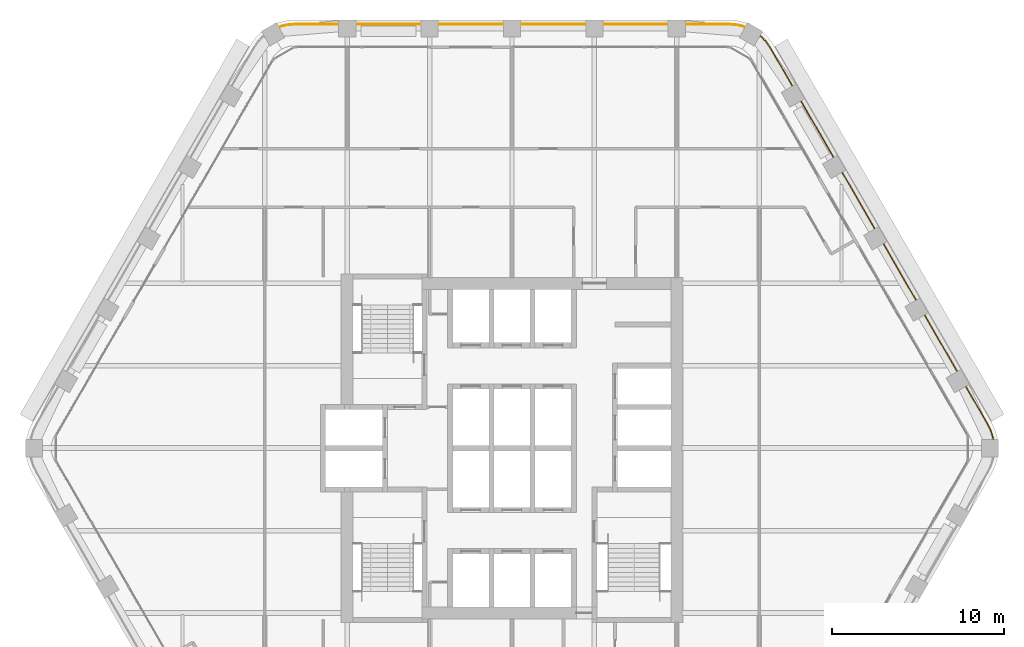
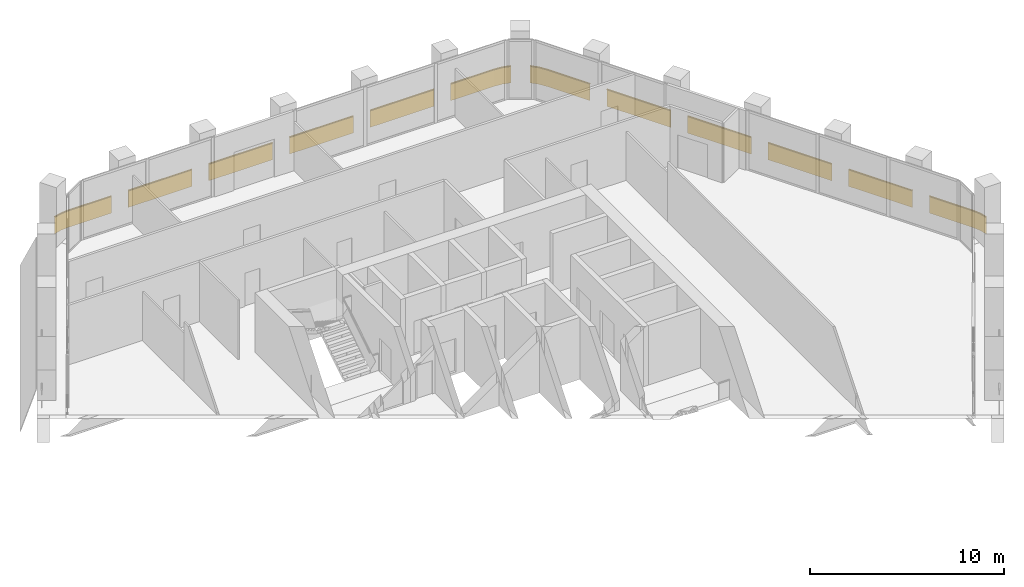
# One storey, part 15 of 15: 2 railings.
"""IFC4 building model written with IfcOpenShell, lengths in metres."""

import ifcopenshell
import ifcopenshell.guid

model = None  # the IFC model being written
_history = None  # IfcOwnerHistory: only IFC2X3 demands one
_inside = {}  # id of a spatial element -> (the spatial element, [elements in it])
_under = {}  # id of a project, library or spatial element -> (it, [spatial elements below it])
_declared = {}  # id of a project -> (the project, [libraries it declares])
_typed = {}  # id of a type object -> (the type object, [elements of that type])
_made_of = {}  # id of a material, layer set ... -> (it, [elements and type objects made of it])


def new_model(schema):
    """Start an empty IFC model of exactly this schema.

    Asked for "IFC4X3", IfcOpenShell would pick the latest addendum, in which some entities
    have other attributes; the version numbers below select the first issue.
    IFC2X3 requires an IfcOwnerHistory on every rooted entity: one is made here for all.
    """
    global model, _history
    if schema == "IFC4X3":
        model = ifcopenshell.file(schema_version=(4, 3, 0, 0))
    else:
        model = ifcopenshell.file(schema=schema)
    _inside.clear()
    _under.clear()
    _declared.clear()
    _typed.clear()
    _made_of.clear()
    _history = None
    if model.schema == "IFC2X3":
        org = make("IfcOrganization", Name="unknown")
        user = make(
            "IfcPersonAndOrganization",
            ThePerson=make("IfcPerson", FamilyName="unknown"),
            TheOrganization=org,
        )
        app = make(
            "IfcApplication",
            ApplicationDeveloper=org,
            Version="unknown",
            ApplicationFullName="unknown",
            ApplicationIdentifier="unknown",
        )
        _history = make(
            "IfcOwnerHistory",
            OwningUser=user,
            OwningApplication=app,
            ChangeAction="ADDED",
            CreationDate=0,
        )
    return model


def make(cls, **values):
    """One entity of the class cls with the attributes given. An attribute that is None is left unset."""
    return model.create_entity(
        cls, **{name: value for name, value in values.items() if value is not None}
    )


def rooted(cls, **values):
    """An entity with a GlobalId (a new one), such as an element, a storey or a relation."""
    return make(cls, GlobalId=ifcopenshell.guid.new(), OwnerHistory=_history, **values)


def si_unit(unit_type, name, prefix=None):
    """IfcSIUnit, for example si_unit("LENGTHUNIT", "METRE", prefix="MILLI")."""
    return make("IfcSIUnit", UnitType=unit_type, Prefix=prefix, Name=name)


def assignment(units):
    """IfcUnitAssignment: the units of a project."""
    return None if units is None else make("IfcUnitAssignment", Units=units)


def point(xyz):
    """IfcCartesianPoint."""
    return None if xyz is None else make("IfcCartesianPoint", Coordinates=xyz)


def direction(xyz):
    """IfcDirection."""
    return None if xyz is None else make("IfcDirection", DirectionRatios=xyz)


def frame(location, z_axis=None, x_axis=None):
    """IfcAxis2Placement3D, a coordinate frame: its origin and axes. An axis left out is left unset."""
    return make(
        "IfcAxis2Placement3D",
        Location=point(location),
        Axis=direction(z_axis),
        RefDirection=direction(x_axis),
    )


def frame_2d(location, x_axis=None):
    """IfcAxis2Placement2D, a coordinate frame in the plane: its origin and x axis."""
    return make(
        "IfcAxis2Placement2D", Location=point(location), RefDirection=direction(x_axis)
    )


def origin():
    """The frame at (0, 0, 0) with its axes left unset."""
    return frame((0.0, 0.0, 0.0))


def origin_2d():
    """The frame at (0, 0) in the plane with its x axis left unset."""
    return frame_2d((0.0, 0.0))


def place(relative_to, where):
    """IfcLocalPlacement: puts the frame where relative to a parent placement (None: the world)."""
    return make(
        "IfcLocalPlacement", PlacementRelTo=relative_to, RelativePlacement=where
    )


def context(
    kind, dimensions, precision=None, world=None, true_north=None, identifier=None
):
    """IfcGeometricRepresentationContext, for example the 3D "Model" context."""
    return make(
        "IfcGeometricRepresentationContext",
        ContextIdentifier=identifier,
        ContextType=kind,
        CoordinateSpaceDimension=dimensions,
        Precision=precision,
        WorldCoordinateSystem=world,
        TrueNorth=true_north,
    )


def subcontext(parent, identifier, kind, view, scale=None):
    """IfcGeometricRepresentationSubContext, for example "Body" below "Model"."""
    return make(
        "IfcGeometricRepresentationSubContext",
        ContextIdentifier=identifier,
        ContextType=kind,
        ParentContext=parent,
        TargetScale=scale,
        TargetView=view,
    )


def project(units=None, contexts=None):
    """IfcProject with its units and contexts."""
    return rooted(
        "IfcProject",
        Name="project",
        RepresentationContexts=contexts,
        UnitsInContext=assignment(units),
    )


def spatial(cls, under=None, at=None, **own):
    """A site, building, storey or space (cls), placed at a placement, below another one or the project."""
    s = rooted(cls, ObjectPlacement=at, **own)
    if under is not None:
        _under.setdefault(under.id(), (under, []))[1].append(s)
    return s


def profile(cls, at=None, kind="AREA", **sizes):
    """A parametric profile (cls). Its sizes go by their IFC names, for example OverallWidth=200.0."""
    return make(cls, ProfileType=kind, Position=at, **sizes)


def rectangle(**sizes):
    """IfcRectangleProfileDef."""
    return profile("IfcRectangleProfileDef", **sizes)


def extrude(swept, where, along, depth):
    """IfcExtrudedAreaSolid: the profile swept, set in the frame where, extruded along a direction by depth."""
    return make(
        "IfcExtrudedAreaSolid",
        SweptArea=swept,
        Position=where,
        ExtrudedDirection=direction(along),
        Depth=depth,
    )


def shape(context_of_items, identifier, shape_type, items):
    """IfcShapeRepresentation: the items that make up one representation, for example the "Body"."""
    return make(
        "IfcShapeRepresentation",
        ContextOfItems=context_of_items,
        RepresentationIdentifier=identifier,
        RepresentationType=shape_type,
        Items=items,
    )


def material(Name=None, Category=None):
    """IfcMaterial."""
    return make("IfcMaterial", Name=Name, Category=Category)


def made_of(thing, what):
    """Note that an element or type object is made of a material, layer set ...; save() writes the relation."""
    if what is not None:
        _made_of.setdefault(what.id(), (what, []))[1].append(thing)
    return thing


def type_object(cls, material=None, **own):
    """A type object (cls), such as IfcWallType, which elements share."""
    return made_of(rooted(cls, **own), material)


def element(
    cls,
    number,
    at=None,
    inside=None,
    cuts=None,
    type_object=None,
    material=None,
    context=None,
    identifier="Body",
    shape_type=None,
    held_by="IfcProductDefinitionShape",
    body=None,
    shapes=None,
    **own,
):
    """One element of the class cls, such as IfcWall. Its Tag is "e" and its number.

    at: its placement. inside: the storey or other place that contains it. cuts: it is an
    opening in that element (IfcRelVoidsElement). A single representation is given by context,
    identifier, shape_type and body (its items); several are given by shapes. held_by: the class
    of the entity that holds the representations. save() writes the other relations.
    """
    e = rooted(cls, Tag="e%d" % number, ObjectPlacement=at, **own)
    if body is not None:
        shapes = [shape(context, identifier, shape_type, body)]
    if shapes is not None:
        e.Representation = make(held_by, Representations=shapes)
    if inside is not None:
        _inside.setdefault(inside.id(), (inside, []))[1].append(e)
    if cuts is not None:
        rooted(
            "IfcRelVoidsElement", RelatingBuildingElement=cuts, RelatedOpeningElement=e
        )
    if type_object is not None:
        _typed.setdefault(type_object.id(), (type_object, []))[1].append(e)
    return made_of(e, material)


def aggregate(whole, parts):
    """IfcRelAggregates: a whole, such as a stair, and the parts it consists of."""
    return rooted("IfcRelAggregates", RelatingObject=whole, RelatedObjects=parts)


def save(model, path):
    """Write the relations noted so far, then the file.

    IfcRelAggregates (storeys below a building ...), IfcRelContainedInSpatialStructure (elements
    in a storey), IfcRelDefinesByType, IfcRelAssociatesMaterial and IfcRelDeclares: one each for
    every whole, place, type object, material and project.
    """
    for whole, parts in _under.values():
        aggregate(whole, parts)
    for where, things in _inside.values():
        rooted(
            "IfcRelContainedInSpatialStructure",
            RelatedElements=things,
            RelatingStructure=where,
        )
    for kind, things in _typed.values():
        rooted("IfcRelDefinesByType", RelatedObjects=things, RelatingType=kind)
    for what, things in _made_of.values():
        rooted("IfcRelAssociatesMaterial", RelatedObjects=things, RelatingMaterial=what)
    for by, libraries in _declared.values():
        rooted("IfcRelDeclares", RelatingContext=by, RelatedDefinitions=libraries)
    model.write(path)


model = new_model("IFC4")

# Units and contexts
model_context = context("Model", 3, precision=1e-05, world=origin(), true_north=direction((0.0, 1.0)))
body_context = subcontext(model_context, "Body", "Model", "MODEL_VIEW")
ifc_project = project(units=[si_unit("LENGTHUNIT", "METRE"), si_unit("AREAUNIT", "SQUARE_METRE"), si_unit("VOLUMEUNIT", "CUBIC_METRE"), si_unit("PLANEANGLEUNIT", "RADIAN"), si_unit("MASSUNIT", "GRAM", prefix="KILO")], contexts=[model_context])

# Site, building, storey
site_placement = place(None, origin())
site = spatial("IfcSite", under=ifc_project, at=site_placement, CompositionType="ELEMENT")
building_placement = place(site_placement, origin())
building = spatial("IfcBuilding", under=site, at=building_placement, Name="Kolab Exchange Tower", CompositionType="ELEMENT")
storey_placement = place(building_placement, frame((0.0, 0.0, 142.699951171875)))
storey = spatial("IfcBuildingStorey", under=building, at=storey_placement, Name="L28", CompositionType="ELEMENT", Elevation=142.699951171875)

# Railings
ifc_material = material(Name="Steel S235", Category="steel")
railing_type = type_object("IfcRailingType", Name="GUARD 1100 GLASS BALUSTRADE AND STEEL TOP RAIL", PredefinedType="GUARDRAIL", material=ifc_material)
railing_1_placement = place(storey_placement, frame((13.588623046875, 24.531005859375, 0.0)))
element("IfcRailing", 1, at=railing_1_placement, inside=storey, type_object=railing_type, Name="Guard", PredefinedType="GUARDRAIL", context=body_context, shape_type="SweptSolid", body=[
    extrude(rectangle(XDim=0.05, YDim=0.05, at=origin_2d()), frame((0.0, 0.0, 1.0751953125), z_axis=(-0.965969425465, 0.25865627591, 0.0), x_axis=(-0.25865627591, -0.965969425465, 0.0)), (0.0, 0.0, 1.0), 0.458740234375),
    extrude(rectangle(XDim=0.012, YDim=1.05009765625, at=frame_2d((0.0, 0.525146484375))), frame((0.0, 0.0, 0.0), z_axis=(-0.965969425465, 0.25865627591, 0.0), x_axis=(-0.25865627591, -0.965969425465, 0.0)), (0.0, 0.0, 1.0), 0.458740234375),
    extrude(rectangle(XDim=0.05, YDim=0.05, at=origin_2d()), frame((-0.443115234375, 0.11865234375, 1.0751953125), z_axis=(-0.996156034798, 0.087596542937, 0.0), x_axis=(-0.087596542937, -0.996156034798, 0.0)), (0.0, 0.0, 1.0), 0.4794921875),
    extrude(rectangle(XDim=0.012, YDim=1.05009765625, at=frame_2d((0.0, 0.525146484375))), frame((-0.443115234375, 0.11865234375, 0.0), z_axis=(-0.996156034798, 0.087596542937, 0.0), x_axis=(-0.087596542937, -0.996156034798, 0.0)), (0.0, 0.0, 1.0), 0.4794921875),
    extrude(rectangle(XDim=0.05, YDim=0.05, at=origin_2d()), frame((-0.920654296875, 0.16064453125, 1.0751953125), z_axis=(-1.0, 0.0, 0.0), x_axis=(0.0, -1.0, 0.0)), (0.0, 0.0, 1.0), 2.56787109375),
    extrude(rectangle(XDim=0.012, YDim=1.05009765625, at=frame_2d((0.0, 0.525146484375))), frame((-0.920654296875, 0.16064453125, 0.0), z_axis=(-1.0, 0.0, 0.0), x_axis=(0.0, -1.0, 0.0)), (0.0, 0.0, 1.0), 2.56787109375),
    extrude(rectangle(XDim=0.05, YDim=0.05, at=origin_2d()), frame((-4.488525390625, 0.16064453125, 1.0751953125), z_axis=(-1.0, 0.0, 0.0), x_axis=(0.0, -1.0, 0.0)), (0.0, 0.0, 1.0), 3.800048828125),
    extrude(rectangle(XDim=0.012, YDim=1.05009765625, at=frame_2d((0.0, 0.525146484375))), frame((-4.488525390625, 0.16064453125, 0.0), z_axis=(-1.0, 0.0, 0.0), x_axis=(0.0, -1.0, 0.0)), (0.0, 0.0, 1.0), 3.800048828125),
    extrude(rectangle(XDim=0.05, YDim=0.05, at=origin_2d()), frame((-9.28857421875, 0.16064453125, 1.0751953125), z_axis=(-1.0, 0.0, 0.0), x_axis=(0.0, -1.0, 0.0)), (0.0, 0.0, 1.0), 3.800048828125),
    extrude(rectangle(XDim=0.012, YDim=1.05009765625, at=frame_2d((0.0, 0.525146484375))), frame((-9.28857421875, 0.16064453125, 0.0), z_axis=(-1.0, 0.0, 0.0), x_axis=(0.0, -1.0, 0.0)), (0.0, 0.0, 1.0), 3.800048828125),
    extrude(rectangle(XDim=0.05, YDim=0.05, at=origin_2d()), frame((-14.088623046875, 0.16064453125, 1.0751953125), z_axis=(-1.0, 0.0, 0.0), x_axis=(0.0, -1.0, 0.0)), (0.0, 0.0, 1.0), 3.800048828125),
    extrude(rectangle(XDim=0.012, YDim=1.05009765625, at=frame_2d((0.0, 0.525146484375))), frame((-14.088623046875, 0.16064453125, 0.0), z_axis=(-1.0, 0.0, 0.0), x_axis=(0.0, -1.0, 0.0)), (0.0, 0.0, 1.0), 3.800048828125),
    extrude(rectangle(XDim=0.05, YDim=0.05, at=origin_2d()), frame((-18.888671875, 0.16064453125, 1.0751953125), z_axis=(-1.0, 0.0, 0.0), x_axis=(0.0, -1.0, 0.0)), (0.0, 0.0, 1.0), 3.800048828125),
    extrude(rectangle(XDim=0.012, YDim=1.05009765625, at=frame_2d((0.0, 0.525146484375))), frame((-18.888671875, 0.16064453125, 0.0), z_axis=(-1.0, 0.0, 0.0), x_axis=(0.0, -1.0, 0.0)), (0.0, 0.0, 1.0), 3.800048828125),
    extrude(rectangle(XDim=0.05, YDim=0.05, at=origin_2d()), frame((-23.688720703125, 0.16064453125, 1.0751953125), z_axis=(-1.0, 0.0, 0.0), x_axis=(0.0, -1.0, 0.0)), (0.0, 0.0, 1.0), 2.56787109375),
    extrude(rectangle(XDim=0.012, YDim=1.05009765625, at=frame_2d((0.0, 0.525146484375))), frame((-23.688720703125, 0.16064453125, 0.0), z_axis=(-1.0, 0.0, 0.0), x_axis=(0.0, -1.0, 0.0)), (0.0, 0.0, 1.0), 2.56787109375),
    extrude(rectangle(XDim=0.05, YDim=0.05, at=origin_2d()), frame((-26.256591796875, 0.16064453125, 1.0751953125), z_axis=(-0.996156034798, -0.087596542937, 0.0), x_axis=(0.087596542937, -0.996156034798, 0.0)), (0.0, 0.0, 1.0), 0.4794921875),
    extrude(rectangle(XDim=0.012, YDim=1.05009765625, at=frame_2d((0.0, 0.525146484375))), frame((-26.256591796875, 0.16064453125, 0.0), z_axis=(-0.996156034798, -0.087596542937, 0.0), x_axis=(0.087596542937, -0.996156034798, 0.0)), (0.0, 0.0, 1.0), 0.4794921875),
    extrude(rectangle(XDim=0.05, YDim=0.05, at=origin_2d()), frame((-26.734130859375, 0.11865234375, 1.0751953125), z_axis=(-0.965969425465, -0.25865627591, 0.0), x_axis=(0.25865627591, -0.965969425465, 0.0)), (0.0, 0.0, 1.0), 0.458740234375),
    extrude(rectangle(XDim=0.012, YDim=1.05009765625, at=frame_2d((0.0, 0.525146484375))), frame((-26.734130859375, 0.11865234375, 0.0), z_axis=(-0.965969425465, -0.25865627591, 0.0), x_axis=(0.25865627591, -0.965969425465, 0.0)), (0.0, 0.0, 1.0), 0.458740234375),
])
railing_2_placement = place(storey_placement, frame((28.038818359375, 0.49755859375, 0.0)))
element("IfcRailing", 2, at=railing_2_placement, inside=storey, type_object=railing_type, Name="Guard", PredefinedType="GUARDRAIL", context=body_context, shape_type="SweptSolid", body=[
    extrude(rectangle(XDim=0.05, YDim=0.05, at=origin_2d()), frame((0.0, 0.0, 1.0751953125), z_axis=(-0.25865627591, 0.965969425465, 0.0), x_axis=(-0.965969425465, -0.25865627591, 0.0)), (0.0, 0.0, 1.0), 0.458740234375),
    extrude(rectangle(XDim=0.012, YDim=1.05009765625, at=frame_2d((0.0, 0.525146484375))), frame((0.0, 0.0, 0.0), z_axis=(-0.25865627591, 0.965969425465, 0.0), x_axis=(-0.965969425465, -0.25865627591, 0.0)), (0.0, 0.0, 1.0), 0.458740234375),
    extrude(rectangle(XDim=0.05, YDim=0.05, at=origin_2d()), frame((-0.11865234375, 0.443115234375, 1.0751953125), z_axis=(-0.422801802984, 0.906222177721, 0.0), x_axis=(-0.906222177721, -0.422801802984, 0.0)), (0.0, 0.0, 1.0), 0.479248046875),
    extrude(rectangle(XDim=0.012, YDim=1.05009765625, at=frame_2d((0.0, 0.525146484375))), frame((-0.11865234375, 0.443115234375, 0.0), z_axis=(-0.422801802984, 0.906222177721, 0.0), x_axis=(-0.906222177721, -0.422801802984, 0.0)), (0.0, 0.0, 1.0), 0.479248046875),
    extrude(rectangle(XDim=0.05, YDim=0.05, at=origin_2d()), frame((-0.3212890625, 0.87744140625, 1.0751953125), z_axis=(-0.499994038704, 0.866028845513, 0.0), x_axis=(-0.866028845513, -0.499994038704, 0.0)), (0.0, 0.0, 1.0), 2.56787109375),
    extrude(rectangle(XDim=0.012, YDim=1.05009765625, at=frame_2d((0.0, 0.525146484375))), frame((-0.3212890625, 0.87744140625, 0.0), z_axis=(-0.499994038704, 0.866028845513, 0.0), x_axis=(-0.866028845513, -0.499994038704, 0.0)), (0.0, 0.0, 1.0), 2.56787109375),
    extrude(rectangle(XDim=0.05, YDim=0.05, at=origin_2d()), frame((-2.105224609375, 3.96728515625, 1.0751953125), z_axis=(-0.500015340139, 0.86601654697, 0.0), x_axis=(-0.86601654697, -0.500015340139, 0.0)), (0.0, 0.0, 1.0), 3.80029296875),
    extrude(rectangle(XDim=0.012, YDim=1.05009765625, at=frame_2d((0.0, 0.525146484375))), frame((-2.105224609375, 3.96728515625, 0.0), z_axis=(-0.500015340139, 0.86601654697, 0.0), x_axis=(-0.86601654697, -0.500015340139, 0.0)), (0.0, 0.0, 1.0), 3.80029296875),
    extrude(rectangle(XDim=0.05, YDim=0.05, at=origin_2d()), frame((-4.50537109375, 8.124267578125, 1.0751953125), z_axis=(-0.499967155389, 0.866044365799, 0.0), x_axis=(-0.866044365799, -0.499967155389, 0.0)), (0.0, 0.0, 1.0), 3.800048828125),
    extrude(rectangle(XDim=0.012, YDim=1.05009765625, at=frame_2d((0.0, 0.525146484375))), frame((-4.50537109375, 8.124267578125, 0.0), z_axis=(-0.499967155389, 0.866044365799, 0.0), x_axis=(-0.866044365799, -0.499967155389, 0.0)), (0.0, 0.0, 1.0), 3.800048828125),
    extrude(rectangle(XDim=0.05, YDim=0.05, at=origin_2d()), frame((-6.9052734375, 12.28125, 1.0751953125), z_axis=(-0.500043160704, 0.866000483506, 0.0), x_axis=(-0.866000483506, -0.500043160704, 0.0)), (0.0, 0.0, 1.0), 3.800048828125),
    extrude(rectangle(XDim=0.012, YDim=1.05009765625, at=frame_2d((0.0, 0.525146484375))), frame((-6.9052734375, 12.28125, 0.0), z_axis=(-0.500043160704, 0.866000483506, 0.0), x_axis=(-0.866000483506, -0.500043160704, 0.0)), (0.0, 0.0, 1.0), 3.800048828125),
    extrude(rectangle(XDim=0.05, YDim=0.05, at=origin_2d()), frame((-9.305419921875, 16.438232421875, 1.0751953125), z_axis=(-0.499994975061, 0.866028304915, 0.0), x_axis=(-0.866028304915, -0.499994975061, 0.0)), (0.0, 0.0, 1.0), 3.7998046875),
    extrude(rectangle(XDim=0.012, YDim=1.05009765625, at=frame_2d((0.0, 0.525146484375))), frame((-9.305419921875, 16.438232421875, 0.0), z_axis=(-0.499994975061, 0.866028304915, 0.0), x_axis=(-0.866028304915, -0.499994975061, 0.0)), (0.0, 0.0, 1.0), 3.7998046875),
    extrude(rectangle(XDim=0.05, YDim=0.05, at=origin_2d()), frame((-11.705322265625, 20.594970703125, 1.0751953125), z_axis=(-0.499952873616, 0.866052610505, 0.0), x_axis=(-0.866052610505, -0.499952873616, 0.0)), (0.0, 0.0, 1.0), 2.568115234375),
    extrude(rectangle(XDim=0.012, YDim=1.05009765625, at=frame_2d((0.0, 0.525146484375))), frame((-11.705322265625, 20.594970703125, 0.0), z_axis=(-0.499952873616, 0.866052610505, 0.0), x_axis=(-0.866052610505, -0.499952873616, 0.0)), (0.0, 0.0, 1.0), 2.568115234375),
    extrude(rectangle(XDim=0.05, YDim=0.05, at=origin_2d()), frame((-12.9892578125, 22.819091796875, 1.0751953125), z_axis=(-0.573599091554, 0.819136180478, 0.0), x_axis=(-0.819136180478, -0.573599091554, 0.0)), (0.0, 0.0, 1.0), 0.479248046875),
    extrude(rectangle(XDim=0.012, YDim=1.05009765625, at=frame_2d((0.0, 0.525146484375))), frame((-12.9892578125, 22.819091796875, 0.0), z_axis=(-0.573599091554, 0.819136180478, 0.0), x_axis=(-0.819136180478, -0.573599091554, 0.0)), (0.0, 0.0, 1.0), 0.479248046875),
    extrude(rectangle(XDim=0.05, YDim=0.05, at=origin_2d()), frame((-13.26416015625, 23.211669921875, 1.0751953125), z_axis=(-0.70737286085, 0.706840601361, 0.0), x_axis=(-0.706840601361, -0.70737286085, 0.0)), (0.0, 0.0, 1.0), 0.458740234375),
    extrude(rectangle(XDim=0.012, YDim=1.05009765625, at=frame_2d((0.0, 0.525146484375))), frame((-13.26416015625, 23.211669921875, 0.0), z_axis=(-0.70737286085, 0.706840601361, 0.0), x_axis=(-0.706840601361, -0.70737286085, 0.0)), (0.0, 0.0, 1.0), 0.458740234375),
])

save(model, "model.ifc")
